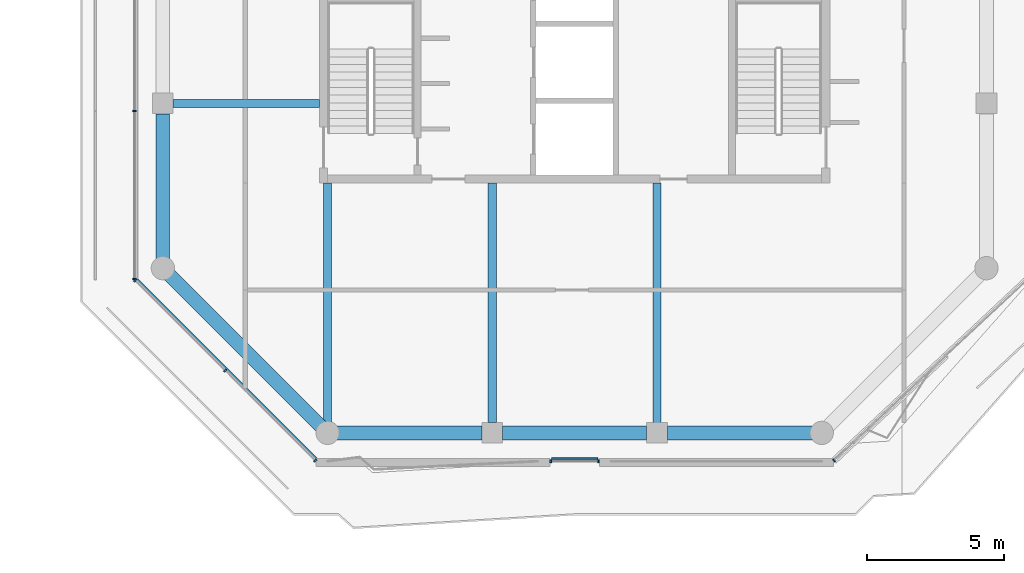
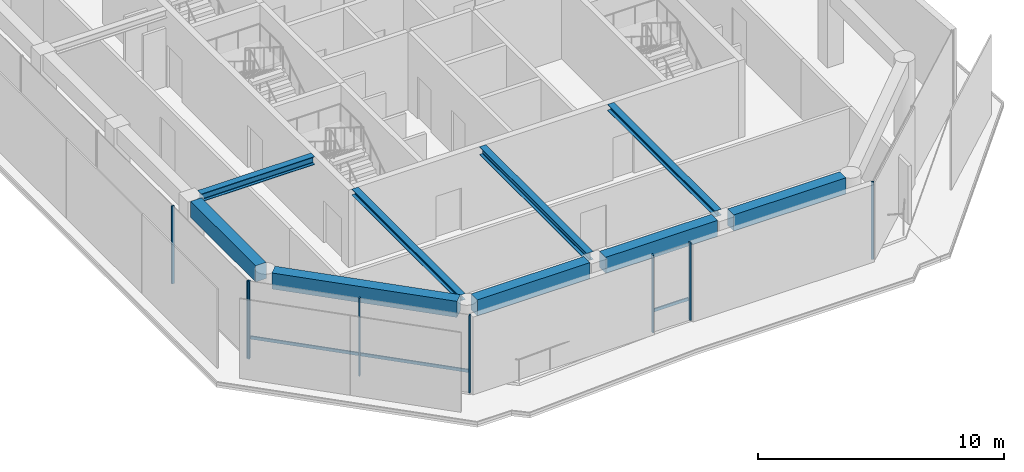
# One storey, part 2 of 21: 10 members, 9 beams, 4 elements without a shape of their own.
"""IFC4 building model written with IfcOpenShell, lengths in metres."""

from ifc_helpers import new_model, si_unit, direction, frame, origin, origin_2d, place, context, subcontext, project, spatial, rectangle, i_section, extrude, material, layer, layer_set, material_profile, profile_set, type_object, element, aggregate, save


model = new_model("IFC4")

# Units and contexts
model_context = context("Model", 3, precision=1e-05, world=origin(), true_north=direction((0.0, 1.0)))
body_context = subcontext(model_context, "Body", "Model", "MODEL_VIEW")
ifc_project = project(units=[si_unit("LENGTHUNIT", "METRE"), si_unit("AREAUNIT", "SQUARE_METRE"), si_unit("VOLUMEUNIT", "CUBIC_METRE"), si_unit("PLANEANGLEUNIT", "RADIAN"), si_unit("MASSUNIT", "GRAM", prefix="KILO")], contexts=[model_context])

# Site, building, storey
site_placement = place(None, origin())
site = spatial("IfcSite", under=ifc_project, at=site_placement, CompositionType="ELEMENT")
building_placement = place(site_placement, origin())
building = spatial("IfcBuilding", under=site, at=building_placement, Name="Welwitschia Terrace Campus", CompositionType="ELEMENT")
storey_placement = place(building_placement, frame((0.0, 0.0, 302.0)))
storey = spatial("IfcBuildingStorey", under=building, at=storey_placement, Name="L67", CompositionType="ELEMENT", Elevation=302.0)

# Beams
ifc_material_1 = material(Name="Steel S355", Category="steel")
ifc_material_profile_1 = material_profile(ifc_material_1, i_section(OverallWidth=0.300048828125, OverallDepth=0.300048828125, WebThickness=0.010986328125, FlangeThickness=0.01904296875, FilletRadius=0.027099609375, at=origin_2d()))
ifc_profile_set_1 = profile_set([ifc_material_profile_1], Name="Steel S355")
beam_type_1 = type_object("IfcBeamType", Name="Interior girder HE 300 B", PredefinedType="BEAM", material=ifc_profile_set_1)
beam_1_placement = place(storey_placement, frame((6.0, -3.611572265625, 3.699951171875), z_axis=(0.0, 1.0, 0.0), x_axis=(-1.0, 0.0, 0.0)))
element("IfcBeam", 1, at=beam_1_placement, inside=storey, type_object=beam_type_1, Name="Girder GB6", PredefinedType="BEAM", context=body_context, shape_type="SweptSolid", body=[
    extrude(i_section(OverallWidth=0.300048828125, OverallDepth=0.300048828125, WebThickness=0.010986328125, FlangeThickness=0.01904296875, FilletRadius=0.027099609375, at=origin_2d()), origin(), (0.0, 0.0, 1.0), 8.710693359375),
])
beam_2_placement = place(storey_placement, frame((18.0, -3.634521484375, 3.699951171875), z_axis=(0.0, 1.0, 0.0), x_axis=(-1.0, 0.0, 0.0)))
element("IfcBeam", 2, at=beam_2_placement, inside=storey, type_object=beam_type_1, Name="Girder GB6", PredefinedType="BEAM", context=body_context, shape_type="SweptSolid", body=[
    extrude(i_section(OverallWidth=0.300048828125, OverallDepth=0.300048828125, WebThickness=0.010986328125, FlangeThickness=0.01904296875, FilletRadius=0.027099609375, at=origin_2d()), origin(), (0.0, 0.0, 1.0), 8.733642578125),
])

# Curtain wall, members
ifc_material_2 = material(Name="Bronze anodised aluminium", Category="aluminium")
ifc_layer = layer(ifc_material_2, 0.1201171875)
ifc_layer_set = layer_set([ifc_layer], Name="Bronze anodised aluminium")
curtain_wall_type = type_object("IfcCurtainWallType", Name="Curtain wall CW2 tower 6000", PredefinedType="NOTDEFINED", material=ifc_layer_set)
curtain_wall_1_placement = place(storey_placement, origin())
curtain_wall_1 = element("IfcCurtainWall", 3, at=curtain_wall_1_placement, inside=storey, type_object=curtain_wall_type, Name="CW L67.0.0", PredefinedType="NOTDEFINED")
ifc_material_3 = material(Name="Bronze anodised aluminium", Category="aluminium")
ifc_material_profile_2 = material_profile(ifc_material_3, rectangle(XDim=0.1201171875, YDim=0.06005859375, at=origin_2d()))
ifc_profile_set_2 = profile_set([ifc_material_profile_2], Name="Bronze anodised aluminium")
member_type_1 = type_object("IfcMemberType", Name="Mullion 60x120", PredefinedType="MULLION", material=ifc_profile_set_2)
member_1_placement = place(storey_placement, frame((-1.0087890625, 1.55224609375, 0.0), z_axis=(0.0, 0.0, 1.0), x_axis=(0.707106781187, 0.707106781187, 0.0)))
member_1 = element("IfcMember", 4, at=member_1_placement, type_object=member_type_1, Name="Mullion L67.0.0.0", PredefinedType="MULLION", context=body_context, shape_type="SweptSolid", body=[
    extrude(rectangle(XDim=0.1201171875, YDim=0.06005859375, at=origin_2d()), origin(), (0.0, 0.0, 1.0), 3.85009765625),
])
member_2_placement = place(storey_placement, frame((2.271728515625, -1.728271484375, 0.0), z_axis=(0.0, 0.0, 1.0), x_axis=(0.707106781187, 0.707106781187, 0.0)))
member_2 = element("IfcMember", 5, at=member_2_placement, type_object=member_type_1, Name="Mullion L67.0.0.1", PredefinedType="MULLION", context=body_context, shape_type="SweptSolid", body=[
    extrude(rectangle(XDim=0.1201171875, YDim=0.06005859375, at=origin_2d()), origin(), (0.0, 0.0, 1.0), 3.85009765625),
])
member_3_placement = place(storey_placement, frame((5.55224609375, -5.0087890625, 0.0), z_axis=(0.0, 0.0, 1.0), x_axis=(0.707106781187, 0.707106781187, 0.0)))
member_3 = element("IfcMember", 6, at=member_3_placement, type_object=member_type_1, Name="Mullion L67.0.0.2", PredefinedType="MULLION", context=body_context, shape_type="SweptSolid", body=[
    extrude(rectangle(XDim=0.1201171875, YDim=0.06005859375, at=origin_2d()), origin(), (0.0, 0.0, 1.0), 3.85009765625),
])

curtain_wall_2_placement = place(storey_placement, origin())
curtain_wall_2 = element("IfcCurtainWall", 7, at=curtain_wall_2_placement, inside=storey, type_object=curtain_wall_type, Name="CW L67.1.S0", PredefinedType="NOTDEFINED")
member_4_placement = place(storey_placement, frame((14.1298828125, -5.030029296875, 0.0), z_axis=(0.0, 0.0, 1.0), x_axis=(0.0, 1.0, 0.0)))
member_4 = element("IfcMember", 8, at=member_4_placement, type_object=member_type_1, Name="Mullion L67.1.S0.0", PredefinedType="MULLION", context=body_context, shape_type="SweptSolid", body=[
    extrude(rectangle(XDim=0.1201171875, YDim=0.06005859375, at=origin_2d()), origin(), (0.0, 0.0, 1.0), 3.85009765625),
])
member_5_placement = place(storey_placement, frame((15.8701171875, -5.030029296875, 0.0), z_axis=(0.0, 0.0, 1.0), x_axis=(0.0, 1.0, 0.0)))
member_5 = element("IfcMember", 9, at=member_5_placement, type_object=member_type_1, Name="Mullion L67.1.S0.1", PredefinedType="MULLION", context=body_context, shape_type="SweptSolid", body=[
    extrude(rectangle(XDim=0.1201171875, YDim=0.06005859375, at=origin_2d()), origin(), (0.0, 0.0, 1.0), 3.85009765625),
])

# Curtain wall, member
curtain_wall_3_placement = place(storey_placement, origin())
curtain_wall_3 = element("IfcCurtainWall", 10, at=curtain_wall_3_placement, inside=storey, type_object=curtain_wall_type, Name="CW L67.2.0", PredefinedType="NOTDEFINED")
member_6_placement = place(storey_placement, frame((24.448486328125, -5.009521484375, 0.0), z_axis=(0.0, 0.0, 1.0), x_axis=(-0.68390177044, 0.729574100684, 0.0)))
member_6 = element("IfcMember", 11, at=member_6_placement, type_object=member_type_1, Name="Mullion L67.2.0.0", PredefinedType="MULLION", context=body_context, shape_type="SweptSolid", body=[
    extrude(rectangle(XDim=0.1201171875, YDim=0.06005859375, at=origin_2d()), origin(), (0.0, 0.0, 1.0), 3.85009765625),
])
aggregate(curtain_wall_3, [member_6])

# Curtain wall, members
curtain_wall_4_placement = place(storey_placement, origin())
curtain_wall_4 = element("IfcCurtainWall", 12, at=curtain_wall_4_placement, inside=storey, type_object=curtain_wall_type, Name="CW L67.8.0", PredefinedType="NOTDEFINED")
member_7_placement = place(storey_placement, frame((-1.030029296875, 7.718994140625, 0.0), z_axis=(0.0, 0.0, 1.0), x_axis=(1.0, 0.0, 0.0)))
member_7 = element("IfcMember", 13, at=member_7_placement, type_object=member_type_1, Name="Mullion L67.8.0.9", PredefinedType="MULLION", context=body_context, shape_type="SweptSolid", body=[
    extrude(rectangle(XDim=0.1201171875, YDim=0.06005859375, at=origin_2d()), origin(), (0.0, 0.0, 1.0), 3.85009765625),
])
member_8_placement = place(storey_placement, frame((-1.030029296875, 1.603271484375, 0.0), z_axis=(0.0, 0.0, 1.0), x_axis=(1.0, 0.0, 0.0)))
member_8 = element("IfcMember", 14, at=member_8_placement, type_object=member_type_1, Name="Mullion L67.8.0.10", PredefinedType="MULLION", context=body_context, shape_type="SweptSolid", body=[
    extrude(rectangle(XDim=0.1201171875, YDim=0.06005859375, at=origin_2d()), origin(), (0.0, 0.0, 1.0), 3.85009765625),
])
aggregate(curtain_wall_4, [member_7, member_8])

# Beams
ifc_material_4 = material(Name="Steel S355", Category="steel")
ifc_material_profile_3 = material_profile(ifc_material_4, i_section(OverallWidth=0.300048828125, OverallDepth=0.39990234375, WebThickness=0.013427734375, FlangeThickness=0.02392578125, FilletRadius=0.027099609375, at=origin_2d()))
ifc_profile_set_3 = profile_set([ifc_material_profile_3], Name="Steel S355")
beam_type_2 = type_object("IfcBeamType", Name="Primary beam HE 400 B", PredefinedType="BEAM", material=ifc_profile_set_3)
beam_3_placement = place(storey_placement, frame((12.0, -3.62451171875, 3.64990234375), z_axis=(0.0, 1.0, 0.0), x_axis=(-1.0, 0.0, 0.0)))
element("IfcBeam", 15, at=beam_3_placement, inside=storey, type_object=beam_type_2, Name="Primary beam PB6", PredefinedType="BEAM", context=body_context, shape_type="SweptSolid", body=[
    extrude(i_section(OverallWidth=0.300048828125, OverallDepth=0.39990234375, WebThickness=0.013427734375, FlangeThickness=0.02392578125, FilletRadius=0.027099609375, at=origin_2d()), origin(), (0.0, 0.0, 1.0), 8.724609375),
])
beam_4_placement = place(storey_placement, frame((0.37548828125, 8.0, 3.64990234375), z_axis=(1.0, 0.0, 0.0), x_axis=(0.0, 1.0, 0.0)))
element("IfcBeam", 16, at=beam_4_placement, inside=storey, type_object=beam_type_2, Name="Primary beam PB6", PredefinedType="BEAM", context=body_context, shape_type="SweptSolid", body=[
    extrude(i_section(OverallWidth=0.300048828125, OverallDepth=0.39990234375, WebThickness=0.013427734375, FlangeThickness=0.02392578125, FilletRadius=0.027099609375, at=origin_2d()), origin(), (0.0, 0.0, 1.0), 5.324462890625),
])
ifc_material_5 = material(Name="Concrete C50/60", Category="concrete")
ifc_material_profile_4 = material_profile(ifc_material_5, rectangle(XDim=0.5, YDim=0.800048828125, at=origin_2d()))
ifc_profile_set_4 = profile_set([ifc_material_profile_4], Name="Concrete C50/60")
beam_type_3 = type_object("IfcBeamType", Name="Ring spandrel 500x800", PredefinedType="SPANDREL", material=ifc_profile_set_4)
beam_5_placement = place(storey_placement, frame((0.24365234375, 1.75634765625, 3.449951171875), z_axis=(0.707106781187, -0.707106781187, 0.0), x_axis=(0.707106781187, 0.707106781187, 0.0)))
element("IfcBeam", 17, at=beam_5_placement, inside=storey, type_object=beam_type_3, Name="Spandrel SP4", PredefinedType="SPANDREL", context=body_context, shape_type="SweptSolid", body=[
    extrude(rectangle(XDim=0.5, YDim=0.800048828125, at=origin_2d()), origin(), (0.0, 0.0, 1.0), 7.796142578125),
])
beam_6_placement = place(storey_placement, frame((6.344482421875, -4.0, 3.449951171875), z_axis=(1.0, 0.0, 0.0), x_axis=(0.0, 1.0, 0.0)))
element("IfcBeam", 18, at=beam_6_placement, inside=storey, type_object=beam_type_3, Name="Spandrel SP4", PredefinedType="SPANDREL", context=body_context, shape_type="SweptSolid", body=[
    extrude(rectangle(XDim=0.5, YDim=0.800048828125, at=origin_2d()), origin(), (0.0, 0.0, 1.0), 5.280029296875),
])
beam_7_placement = place(storey_placement, frame((12.37548828125, -4.0, 3.449951171875), z_axis=(1.0, 0.0, 0.0), x_axis=(0.0, 1.0, 0.0)))
element("IfcBeam", 19, at=beam_7_placement, inside=storey, type_object=beam_type_3, Name="Spandrel SP4", PredefinedType="SPANDREL", context=body_context, shape_type="SweptSolid", body=[
    extrude(rectangle(XDim=0.5, YDim=0.800048828125, at=origin_2d()), origin(), (0.0, 0.0, 1.0), 5.2490234375),
])
for number, where, z_axis, x_axis, name in (
    (20, (18.37548828125, -4.0, 3.449951171875), (1.0, 0.0, 0.0), (0.0, 1.0, 0.0), "Spandrel SP4"),
    (21, (0.0, 7.62451171875, 3.449951171875), (0.0, -1.0, 0.0), (1.0, 0.0, 0.0), "Spandrel SP4"),
):
    element("IfcBeam", number, at=place(storey_placement, frame(where, z_axis=z_axis, x_axis=x_axis)), inside=storey, type_object=beam_type_3, Name=name, PredefinedType="SPANDREL", context=body_context, shape_type="SweptSolid", body=[
        extrude(rectangle(XDim=0.5, YDim=0.800048828125, at=origin_2d()), origin(), (0.0, 0.0, 1.0), 5.280029296875),
    ])

# Member
ifc_material_6 = material(Name="Bronze anodised aluminium", Category="aluminium")
ifc_material_profile_5 = material_profile(ifc_material_6, rectangle(XDim=0.06005859375, YDim=0.14990234375, at=origin_2d()))
ifc_profile_set_5 = profile_set([ifc_material_profile_5], Name="Bronze anodised aluminium")
member_type_2 = type_object("IfcMemberType", Name="Transom 60x150", PredefinedType="USERDEFINED", material=ifc_profile_set_5)
member_9_placement = place(storey_placement, frame((-0.923828125, 1.594482421875, 1.0), z_axis=(0.707106781187, -0.707106781187, 0.0), x_axis=(0.707106781187, 0.707106781187, 0.0)))
member_9 = element("IfcMember", 22, at=member_9_placement, type_object=member_type_2, Name="Transom L67.0.0", ObjectType="TRANSOM", PredefinedType="USERDEFINED", context=body_context, shape_type="SweptSolid", body=[
    extrude(rectangle(XDim=0.06005859375, YDim=0.14990234375, at=origin_2d()), origin(), (0.0, 0.0, 1.0), 9.21826171875),
])

aggregate(curtain_wall_1, [member_1, member_2, member_3, member_9])

member_10_placement = place(storey_placement, frame((14.159912109375, -4.93994140625, 1.0), z_axis=(1.0, 0.0, 0.0), x_axis=(0.0, 1.0, 0.0)))
member_10 = element("IfcMember", 23, at=member_10_placement, type_object=member_type_2, Name="Transom L67.1.S0", ObjectType="TRANSOM", PredefinedType="USERDEFINED", context=body_context, shape_type="SweptSolid", body=[
    extrude(rectangle(XDim=0.06005859375, YDim=0.14990234375, at=origin_2d()), origin(), (0.0, 0.0, 1.0), 1.68017578125),
])

aggregate(curtain_wall_2, [member_4, member_5, member_10])

save(model, "model.ifc")
